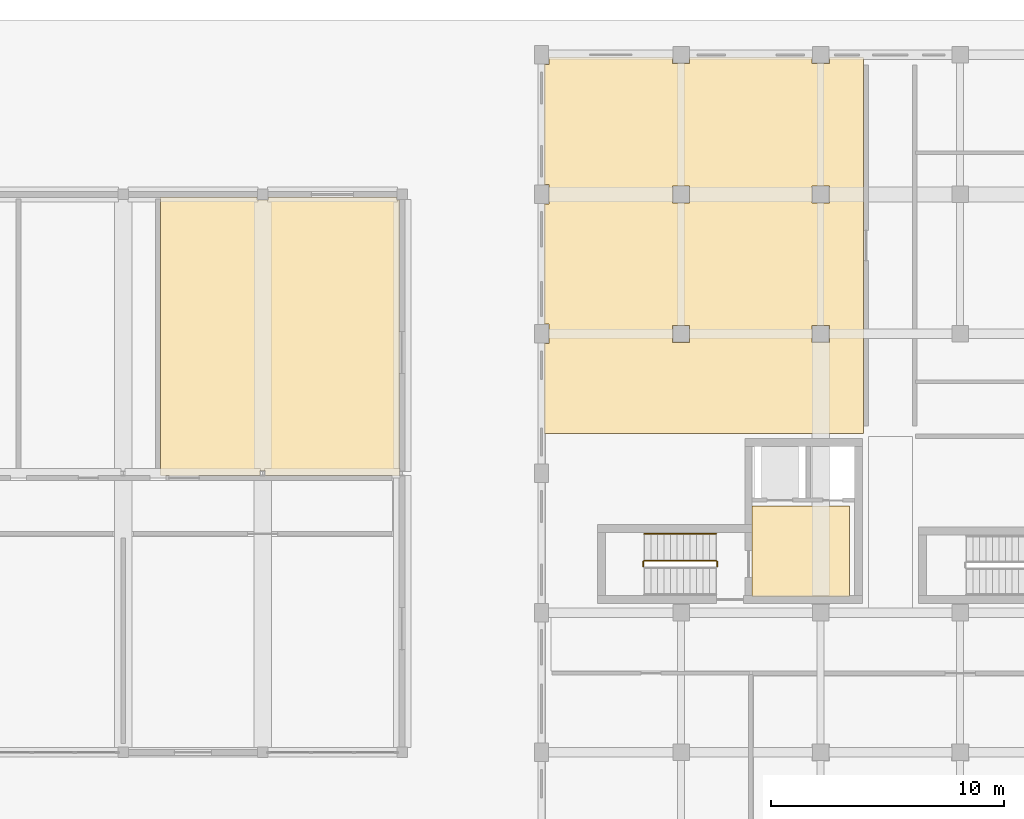
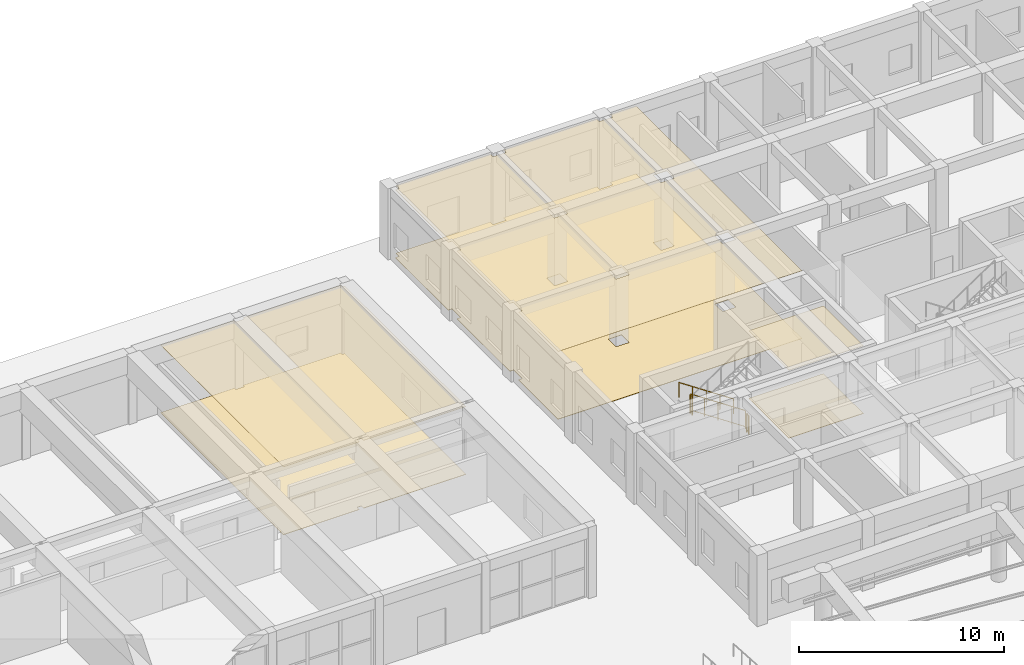
# One storey, part 72 of 76: 6 coverings, 4 railings.
"""IFC4 building model written with IfcOpenShell, lengths in metres."""

from ifc_helpers import new_model, si_unit, direction, frame, origin, origin_2d, place, context, subcontext, project, spatial, polyline, circle, outline, extrude, material, layer, layer_set, type_object, element, save


model = new_model("IFC4")

# Units and contexts
model_context = context("Model", 3, precision=1e-05, world=origin(), true_north=direction((0.0, 1.0)))
body_context = subcontext(model_context, "Body", "Model", "MODEL_VIEW")
ifc_project = project(units=[si_unit("LENGTHUNIT", "METRE"), si_unit("AREAUNIT", "SQUARE_METRE"), si_unit("VOLUMEUNIT", "CUBIC_METRE"), si_unit("PLANEANGLEUNIT", "RADIAN"), si_unit("MASSUNIT", "GRAM", prefix="KILO"), si_unit("POWERUNIT", "WATT"), si_unit("THERMODYNAMICTEMPERATUREUNIT", "KELVIN")], contexts=[model_context])

# Site, building, storey
site_placement = place(None, origin())
site = spatial("IfcSite", under=ifc_project, at=site_placement, CompositionType="ELEMENT")
building_placement = place(site_placement, origin())
building = spatial("IfcBuilding", under=site, at=building_placement, Name="Ruvembo Vaulted Housing Court", CompositionType="ELEMENT")
storey_placement = place(building_placement, origin())
storey = spatial("IfcBuildingStorey", under=building, at=storey_placement, Name="L00", CompositionType="ELEMENT", Elevation=0.0)

# Coverings
ifc_material_1 = material(Name="Perforated Mineral-Fibre Acoustic Tile", Category="gypsum")
ifc_layer_1 = layer(ifc_material_1, 0.02001953125, Name="Perforated Mineral-Fibre Acoustic Tile")
ifc_layer_set_1 = layer_set([ifc_layer_1], Name="Perforated Mineral-Fibre Acoustic Tile")
covering_type_1 = type_object("IfcCoveringType", Name="COV-CEIL-ACOUST", PredefinedType="CEILING", material=ifc_layer_set_1)
covering_1_placement = place(storey_placement, frame((0.0, 0.0, 4.034912109375)))
element("IfcCovering", 1, at=covering_1_placement, inside=storey, type_object=covering_type_1, Name="Protected Core Lobby B1 Ceiling", PredefinedType="CEILING", context=body_context, shape_type="SweptSolid", body=[
    extrude(outline(polyline([(57.050048828125, 94.60009765625), (57.050048828125, 90.699951171875), (61.25, 90.699951171875), (61.25, 94.60009765625), (57.050048828125, 94.60009765625)])), origin(), (0.0, 0.0, 1.0), 0.02001953125),
])
covering_2_placement = place(storey_placement, frame((0.0, 0.0, 4.034912109375)))
element("IfcCovering", 2, at=covering_2_placement, inside=storey, type_object=covering_type_1, Name="Quiet Nap & Sensory Room Ceiling", PredefinedType="CEILING", context=body_context, shape_type="SweptSolid", body=[
    extrude(outline(polyline([(35.7548828125, 107.7548828125), (35.7548828125, 107.889892578125), (31.610107421875, 107.889892578125), (31.610107421875, 95.909912109375), (35.8798828125, 95.909912109375), (35.8798828125, 96.1201171875), (36.1201171875, 96.1201171875), (36.1201171875, 95.909912109375), (41.8798828125, 95.909912109375), (41.8798828125, 96.1201171875), (41.889892578125, 96.1201171875), (41.889892578125, 107.7548828125), (41.7548828125, 107.7548828125), (41.7548828125, 107.889892578125), (36.2451171875, 107.889892578125), (36.2451171875, 107.7548828125), (35.7548828125, 107.7548828125)])), origin(), (0.0, 0.0, 1.0), 0.02001953125),
])
covering_3_placement = place(storey_placement, frame((0.0, 0.0, 4.034912109375)))
element("IfcCovering", 3, at=covering_3_placement, inside=storey, type_object=covering_type_1, Name="Block B North-West Vestibule Ceiling", PredefinedType="CEILING", context=body_context, shape_type="SweptSolid", body=[
    extrude(outline(polyline([(48.320068359375, 102.419921875), (48.320068359375, 101.580078125), (48.110107421875, 101.580078125), (48.110107421875, 97.7099609375), (61.840087890625, 97.7099609375), (61.840087890625, 113.889892578125), (60.3701171875, 113.889892578125), (60.3701171875, 113.6298828125), (59.6298828125, 113.6298828125), (59.6298828125, 113.889892578125), (54.3701171875, 113.889892578125), (54.3701171875, 113.6298828125), (53.6298828125, 113.6298828125), (53.6298828125, 113.889892578125), (48.320068359375, 113.889892578125), (48.320068359375, 113.580078125), (48.110107421875, 113.580078125), (48.110107421875, 108.419921875), (48.320068359375, 108.419921875), (48.320068359375, 107.580078125), (48.110107421875, 107.580078125), (48.110107421875, 102.419921875), (48.320068359375, 102.419921875)]), holes=[polyline([(54.3701171875, 101.6298828125), (54.3701171875, 102.3701171875), (53.6298828125, 102.3701171875), (53.6298828125, 101.6298828125), (54.3701171875, 101.6298828125)]), polyline([(53.6298828125, 107.6298828125), (54.3701171875, 107.6298828125), (54.3701171875, 108.3701171875), (53.6298828125, 108.3701171875), (53.6298828125, 107.6298828125)]), polyline([(59.6298828125, 101.6298828125), (60.3701171875, 101.6298828125), (60.3701171875, 102.3701171875), (59.6298828125, 102.3701171875), (59.6298828125, 101.6298828125)]), polyline([(59.6298828125, 107.6298828125), (60.3701171875, 107.6298828125), (60.3701171875, 108.3701171875), (59.6298828125, 108.3701171875), (59.6298828125, 107.6298828125)])]), origin(), (0.0, 0.0, 1.0), 0.02001953125),
])
ifc_material_2 = material(Name="Polished Cement-Aggregate Terrazzo", Category="stone")
ifc_layer_2 = layer(ifc_material_2, 0.02197265625, Name="Polished Cement-Aggregate Terrazzo")
ifc_layer_set_2 = layer_set([ifc_layer_2], Name="Polished Cement-Aggregate Terrazzo")
covering_type_2 = type_object("IfcCoveringType", Name="COV-FLR-CERAMIC", PredefinedType="FLOORING", material=ifc_layer_set_2)
covering_4_placement = place(storey_placement, origin())
element("IfcCovering", 4, at=covering_4_placement, inside=storey, type_object=covering_type_2, Name="Protected Core Lobby B1 Flooring", PredefinedType="FLOORING", context=body_context, shape_type="SweptSolid", body=[
    extrude(outline(polyline([(57.050048828125, 94.60009765625), (57.050048828125, 90.699951171875), (61.25, 90.699951171875), (61.25, 94.60009765625), (57.050048828125, 94.60009765625)])), origin(), (0.0, 0.0, 1.0), 0.02197265625),
])
covering_5_placement = place(storey_placement, origin())
element("IfcCovering", 5, at=covering_5_placement, inside=storey, type_object=covering_type_2, Name="Quiet Nap & Sensory Room Flooring", PredefinedType="FLOORING", context=body_context, shape_type="SweptSolid", body=[
    extrude(outline(polyline([(35.7548828125, 107.7548828125), (35.7548828125, 107.889892578125), (31.610107421875, 107.889892578125), (31.610107421875, 95.909912109375), (35.8798828125, 95.909912109375), (35.8798828125, 96.1201171875), (36.1201171875, 96.1201171875), (36.1201171875, 95.909912109375), (41.8798828125, 95.909912109375), (41.8798828125, 96.1201171875), (41.889892578125, 96.1201171875), (41.889892578125, 107.7548828125), (41.7548828125, 107.7548828125), (41.7548828125, 107.889892578125), (36.2451171875, 107.889892578125), (36.2451171875, 107.7548828125), (35.7548828125, 107.7548828125)])), origin(), (0.0, 0.0, 1.0), 0.02197265625),
])
covering_6_placement = place(storey_placement, origin())
element("IfcCovering", 6, at=covering_6_placement, inside=storey, type_object=covering_type_2, Name="Block B North-West Vestibule Flooring", PredefinedType="FLOORING", context=body_context, shape_type="SweptSolid", body=[
    extrude(outline(polyline([(48.320068359375, 102.419921875), (48.320068359375, 101.580078125), (48.110107421875, 101.580078125), (48.110107421875, 97.7099609375), (61.840087890625, 97.7099609375), (61.840087890625, 113.889892578125), (60.3701171875, 113.889892578125), (60.3701171875, 113.6298828125), (59.6298828125, 113.6298828125), (59.6298828125, 113.889892578125), (54.3701171875, 113.889892578125), (54.3701171875, 113.6298828125), (53.6298828125, 113.6298828125), (53.6298828125, 113.889892578125), (48.320068359375, 113.889892578125), (48.320068359375, 113.580078125), (48.110107421875, 113.580078125), (48.110107421875, 108.419921875), (48.320068359375, 108.419921875), (48.320068359375, 107.580078125), (48.110107421875, 107.580078125), (48.110107421875, 102.419921875), (48.320068359375, 102.419921875)]), holes=[polyline([(54.3701171875, 101.6298828125), (54.3701171875, 102.3701171875), (53.6298828125, 102.3701171875), (53.6298828125, 101.6298828125), (54.3701171875, 101.6298828125)]), polyline([(53.6298828125, 107.6298828125), (54.3701171875, 107.6298828125), (54.3701171875, 108.3701171875), (53.6298828125, 108.3701171875), (53.6298828125, 107.6298828125)]), polyline([(59.6298828125, 101.6298828125), (60.3701171875, 101.6298828125), (60.3701171875, 102.3701171875), (59.6298828125, 102.3701171875), (59.6298828125, 101.6298828125)]), polyline([(59.6298828125, 107.6298828125), (60.3701171875, 107.6298828125), (60.3701171875, 108.3701171875), (59.6298828125, 108.3701171875), (59.6298828125, 107.6298828125)])]), origin(), (0.0, 0.0, 1.0), 0.02197265625),
])

# Railings
ifc_material_3 = material(Name="Painted Galvanised Steel S275", Category="steel")
ifc_layer_3 = layer(ifc_material_3, 0.06005859375, Name="Painted Galvanised Steel S275")
ifc_layer_set_3 = layer_set([ifc_layer_3], Name="Painted Galvanised Steel S275")
railing_type_1 = type_object("IfcRailingType", Name="RL-STAIR-GR1100", PredefinedType="GUARDRAIL", material=ifc_layer_set_3)
railing_1_placement = place(storey_placement, frame((55.5, 92.25, 0.1875)))
element("IfcRailing", 7, at=railing_1_placement, inside=storey, type_object=railing_type_1, Name="L00 ST-B1 stair guard 1", PredefinedType="GUARDRAIL", context=body_context, shape_type="SweptSolid", body=[
    extrude(circle(Radius=0.02392578125, at=origin_2d()), frame((0.0, 0.0, 1.076171875), z_axis=(-0.830913701846, 0.0, 0.55640131208), x_axis=(0.0, -1.0, 0.0)), (0.0, 0.0, 1.0), 3.706787109375),
    extrude(circle(Radius=0.01806640625, at=origin_2d()), frame((0.0, 0.0, 0.1201171875), z_axis=(-0.830913701846, 0.0, 0.55640131208), x_axis=(0.0, -1.0, 0.0)), (0.0, 0.0, 1.0), 3.706787109375),
    extrude(circle(Radius=0.02099609375, at=origin_2d()), origin(), (0.0, 0.0, 1.0), 1.052001953125),
    extrude(circle(Radius=0.02099609375, at=origin_2d()), frame((-0.77001953125, 0.0, 0.515625)), (0.0, 0.0, 1.0), 1.052001953125),
    extrude(circle(Radius=0.02099609375, at=origin_2d()), frame((-1.5400390625, 0.0, 1.03125)), (0.0, 0.0, 1.0), 1.052001953125),
    extrude(circle(Radius=0.02099609375, at=origin_2d()), frame((-2.31005859375, 0.0, 1.546875)), (0.0, 0.0, 1.0), 1.052001953125),
    extrude(circle(Radius=0.02099609375, at=origin_2d()), frame((-3.080078125, 0.0, 2.0625)), (0.0, 0.0, 1.0), 1.052001953125),
])
for number, where, name in (
    (8, (52.3701171875, 92.199951171875, 2.25), "L00 ST-B1 stair guard 2"),
    (9, (55.550048828125, 92.199951171875, 0.0), "L00 ST-B1 stair guard 4"),
):
    element("IfcRailing", number, at=place(storey_placement, frame(where)), inside=storey, type_object=railing_type_1, Name=name, PredefinedType="GUARDRAIL", context=body_context, shape_type="SweptSolid", body=[
        extrude(circle(Radius=0.02392578125, at=origin_2d()), frame((0.0, 0.0, 1.076171875), z_axis=(0.0, -1.0, 0.0), x_axis=(1.0, 0.0, 0.0)), (0.0, 0.0, 1.0), 0.199951171875),
        extrude(circle(Radius=0.01806640625, at=origin_2d()), frame((0.0, 0.0, 0.1201171875), z_axis=(0.0, -1.0, 0.0), x_axis=(1.0, 0.0, 0.0)), (0.0, 0.0, 1.0), 0.199951171875),
        extrude(circle(Radius=0.02099609375, at=origin_2d()), origin(), (0.0, 0.0, 1.0), 1.052001953125),
        extrude(circle(Radius=0.02099609375, at=origin_2d()), frame((0.0, -0.199951171875, 0.0)), (0.0, 0.0, 1.0), 1.052001953125),
    ])
ifc_material_4 = material(Name="Brushed Stainless Steel 304", Category="steel")
ifc_layer_4 = layer(ifc_material_4, 0.050048828125, Name="Brushed Stainless Steel 304")
ifc_layer_set_4 = layer_set([ifc_layer_4], Name="Brushed Stainless Steel 304")
railing_type_2 = type_object("IfcRailingType", Name="RL-STAIR-HR920", PredefinedType="HANDRAIL", material=ifc_layer_set_4)
railing_2_placement = place(storey_placement, frame((55.5, 93.39990234375, 0.379150390625)))
element("IfcRailing", 10, at=railing_2_placement, inside=storey, type_object=railing_type_2, Name="L00 ST-B1 stair handrail 1", PredefinedType="HANDRAIL", context=body_context, shape_type="SweptSolid", body=[
    extrude(circle(Radius=0.02392578125, at=origin_2d()), frame((0.0, 0.0, 0.8759765625), z_axis=(-0.830913701846, 0.0, 0.55640131208), x_axis=(0.0, -1.0, 0.0)), (0.0, 0.0, 1.0), 3.706787109375),
    extrude(circle(Radius=0.02099609375, at=origin_2d()), origin(), (0.0, 0.0, 1.0), 0.851806640625),
    extrude(circle(Radius=0.02099609375, at=origin_2d()), frame((-0.77001953125, 0.0, 0.515625)), (0.0, 0.0, 1.0), 0.851806640625),
    extrude(circle(Radius=0.02099609375, at=origin_2d()), frame((-1.5400390625, 0.0, 1.03125)), (0.0, 0.0, 1.0), 0.851806640625),
    extrude(circle(Radius=0.02099609375, at=origin_2d()), frame((-2.31005859375, 0.0, 1.546875)), (0.0, 0.0, 1.0), 0.851806640625),
    extrude(circle(Radius=0.02099609375, at=origin_2d()), frame((-3.080078125, 0.0, 2.0625)), (0.0, 0.0, 1.0), 0.851806640625),
])

save(model, "model.ifc")
